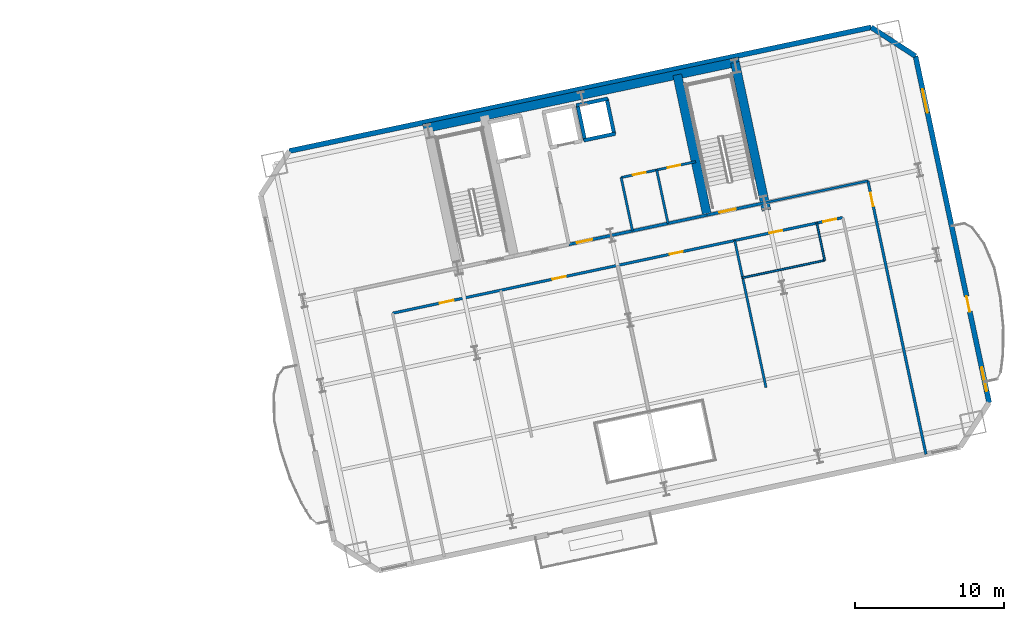
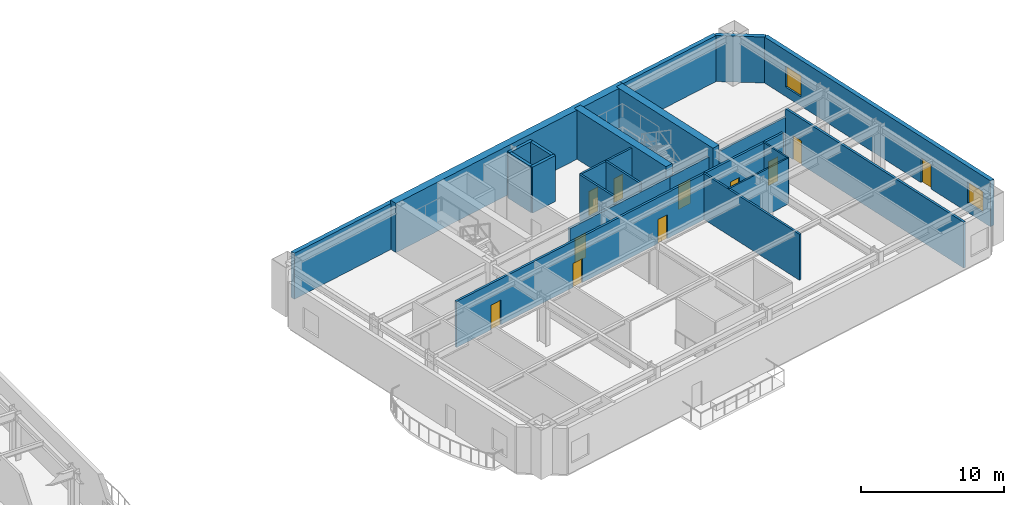
# One storey, part 9 of 15: 21 walls, 11 doors, 2 windows, 13 openings.
"""IFC4 building model written with IfcOpenShell, lengths in metres."""

from ifc_helpers import new_model, si_unit, direction, frame, frame_2d, origin, place, context, subcontext, project, spatial, rectangle, extrude, material, layer, layer_set, type_object, element, fill, save


model = new_model("IFC4")

# Units and contexts
model_context = context("Model", 3, precision=1e-05, world=origin(), true_north=direction((0.0, 1.0)))
body_context = subcontext(model_context, "Body", "Model", "MODEL_VIEW")
ifc_project = project(units=[si_unit("LENGTHUNIT", "METRE"), si_unit("AREAUNIT", "SQUARE_METRE"), si_unit("VOLUMEUNIT", "CUBIC_METRE"), si_unit("PLANEANGLEUNIT", "RADIAN"), si_unit("MASSUNIT", "GRAM", prefix="KILO")], contexts=[model_context])

# Site, building, storey
site_placement = place(None, origin())
site = spatial("IfcSite", under=ifc_project, at=site_placement, CompositionType="ELEMENT")
building_placement = place(site_placement, origin())
building = spatial("IfcBuilding", under=site, at=building_placement, Name="Haevon Station Towers", CompositionType="ELEMENT")
storey_placement = place(building_placement, frame((0.0, 0.0, 73.5)))
storey = spatial("IfcBuildingStorey", under=building, at=storey_placement, Name="L19", CompositionType="ELEMENT", Elevation=73.5)

# Wall, opening, door
ifc_material_1 = material(Name="Gypsum board on steel stud", Category="steel")
ifc_layer_1 = layer(ifc_material_1, 0.179931640625)
ifc_layer_set_1 = layer_set([ifc_layer_1], Name="Gypsum board on steel stud")
wall_type_1 = type_object("IfcWallType", Name="WL-ACU180", PredefinedType="PARTITIONING", material=ifc_layer_set_1)
wall_1_placement = place(storey_placement, frame((130.077392578125, 24.98291015625, 0.0), z_axis=(0.0, 0.0, 1.0), x_axis=(-0.207909658332, 0.97814803275, 0.0)))
wall_1 = element("IfcWall", 1, at=wall_1_placement, inside=storey, type_object=wall_type_1, Name="WL-T2PT-L19-06", PredefinedType="PARTITIONING", context=body_context, shape_type="SweptSolid", body=[
    extrude(rectangle(XDim=18.7001953125, YDim=0.179931640625, at=frame_2d((9.35009765625, 0.0))), origin(), (0.0, 0.0, 1.0), 3.929931640625),
])
opening_1_placement = place(wall_1_placement, frame((16.969970703125, 0.0, 0.0)))
opening_1 = element("IfcOpeningElement", 2, at=opening_1_placement, cuts=wall_1, Name="Opening DR-WL-T2PT-L19-06-01", PredefinedType="OPENING", context=body_context, shape_type="SweptSolid", body=[
    extrude(rectangle(XDim=0.89990234375, YDim=2.050048828125, at=frame_2d((0.449951171875, 1.02490234375))), frame((0.0, 0.099853515625, 0.0), z_axis=(0.0, -1.0, 0.0), x_axis=(1.0, 0.0, 0.0)), (0.0, 0.0, 1.0), 0.199951171875),
])
ifc_material_2 = material(Name="Engineered oak timber", Category="wood")
door_type_1 = type_object("IfcDoorType", Name="DR-INT-900", OperationType="NOTDEFINED", PredefinedType="DOOR", material=ifc_material_2)
door_1_placement = place(opening_1_placement, origin())
door_1 = element("IfcDoor", 3, at=door_1_placement, inside=storey, type_object=door_type_1, Name="L19 Tower 2 Room Door 6-1", OperationType="SINGLE_SWING_RIGHT", OverallHeight=2.050048828125, OverallWidth=0.89990234375, PredefinedType="DOOR", context=body_context, shape_type="SweptSolid", body=[
    extrude(rectangle(XDim=0.89990234375, YDim=2.050048828125, at=frame_2d((0.449951171875, 1.02490234375))), frame((0.0, 0.02490234375, 0.0), z_axis=(0.0, -1.0, 0.0), x_axis=(1.0, 0.0, 0.0)), (0.0, 0.0, 1.0), 0.050048828125),
])
fill(opening_1, door_1)

# Wall, openings, doors
wall_2_placement = place(storey_placement, frame((94.3857421875, 34.41845703125, 0.0), z_axis=(0.0, 0.0, 1.0), x_axis=(0.978148374034, 0.207908052695, 0.0)))
wall_2 = element("IfcWall", 4, at=wall_2_placement, inside=storey, type_object=wall_type_1, Name="WL-T2PT-L19-18", PredefinedType="PARTITIONING", context=body_context, shape_type="SweptSolid", body=[
    extrude(rectangle(XDim=30.800048828125, YDim=0.179931640625, at=frame_2d((15.39990234375, 0.0))), origin(), (0.0, 0.0, 1.0), 3.929931640625),
])
opening_2_placement = place(wall_2_placement, frame((3.220947265625, 0.0, 0.0)))
opening_2 = element("IfcOpeningElement", 5, at=opening_2_placement, cuts=wall_2, Name="Opening DR-WL-T2PT-L19-18-01", PredefinedType="OPENING", context=body_context, shape_type="SweptSolid", body=[
    extrude(rectangle(XDim=0.949951171875, YDim=2.10009765625, at=frame_2d((0.47509765625, 1.050048828125))), frame((0.0, 0.099853515625, 0.0), z_axis=(0.0, -1.0, 0.0), x_axis=(1.0, 0.0, 0.0)), (0.0, 0.0, 1.0), 0.199951171875),
])
opening_3_placement = place(wall_2_placement, frame((10.946044921875, 0.0, 0.0)))
opening_3 = element("IfcOpeningElement", 6, at=opening_3_placement, cuts=wall_2, Name="Opening DR-WL-T2PT-L19-18-02", PredefinedType="OPENING", context=body_context, shape_type="SweptSolid", body=[
    extrude(rectangle(XDim=0.89990234375, YDim=2.050048828125, at=frame_2d((0.449951171875, 1.02490234375))), frame((0.0, 0.099853515625, 0.0), z_axis=(0.0, -1.0, 0.0), x_axis=(1.0, 0.0, 0.0)), (0.0, 0.0, 1.0), 0.199951171875),
])
opening_4_placement = place(wall_2_placement, frame((18.9541015625, 0.0, 0.0)))
opening_4 = element("IfcOpeningElement", 7, at=opening_4_placement, cuts=wall_2, Name="Opening DR-WL-T2PT-L19-18-03", PredefinedType="OPENING", context=body_context, shape_type="SweptSolid", body=[
    extrude(rectangle(XDim=0.89990234375, YDim=2.050048828125, at=frame_2d((0.449951171875, 1.02490234375))), frame((0.0, 0.099853515625, 0.0), z_axis=(0.0, -1.0, 0.0), x_axis=(1.0, 0.0, 0.0)), (0.0, 0.0, 1.0), 0.199951171875),
])
opening_5_placement = place(wall_2_placement, frame((25.7890625, 0.0, 0.0)))
opening_5 = element("IfcOpeningElement", 8, at=opening_5_placement, cuts=wall_2, Name="Opening DR-WL-T2PT-L19-18-04", PredefinedType="OPENING", context=body_context, shape_type="SweptSolid", body=[
    extrude(rectangle(XDim=0.85009765625, YDim=2.050048828125, at=frame_2d((0.425048828125, 1.02490234375))), frame((0.0, 0.099853515625, 0.0), z_axis=(0.0, -1.0, 0.0), x_axis=(1.0, 0.0, 0.0)), (0.0, 0.0, 1.0), 0.199951171875),
])
opening_6_placement = place(wall_2_placement, frame((29.4599609375, 0.0, 0.0)))
opening_6 = element("IfcOpeningElement", 9, at=opening_6_placement, cuts=wall_2, Name="Opening DR-WL-T2PT-L19-18-05", PredefinedType="OPENING", context=body_context, shape_type="SweptSolid", body=[
    extrude(rectangle(XDim=0.89990234375, YDim=2.050048828125, at=frame_2d((0.449951171875, 1.02490234375))), frame((0.0, 0.099853515625, 0.0), z_axis=(0.0, -1.0, 0.0), x_axis=(1.0, 0.0, 0.0)), (0.0, 0.0, 1.0), 0.199951171875),
])
door_type_2 = type_object("IfcDoorType", Name="DR-FD30-850", OperationType="NOTDEFINED", PredefinedType="DOOR", material=ifc_material_2)
door_2_placement = place(opening_5_placement, origin())
door_2 = element("IfcDoor", 10, at=door_2_placement, inside=storey, type_object=door_type_2, Name="L19 Tower 2 Room Door 18-4", OperationType="SINGLE_SWING_RIGHT", OverallHeight=2.050048828125, OverallWidth=0.85009765625, PredefinedType="DOOR", context=body_context, shape_type="SweptSolid", body=[
    extrude(rectangle(XDim=0.85009765625, YDim=2.050048828125, at=frame_2d((0.425048828125, 1.02490234375))), frame((0.0, 0.02490234375, 0.0), z_axis=(0.0, -1.0, 0.0), x_axis=(1.0, 0.0, 0.0)), (0.0, 0.0, 1.0), 0.050048828125),
])
fill(opening_5, door_2)
door_type_3 = type_object("IfcDoorType", Name="DR-FD30-950", OperationType="NOTDEFINED", PredefinedType="DOOR", material=ifc_material_2)
door_3_placement = place(opening_2_placement, origin())
door_3 = element("IfcDoor", 11, at=door_3_placement, inside=storey, type_object=door_type_3, Name="L19 Tower 2 Room Door 18-1", OperationType="SINGLE_SWING_LEFT", OverallHeight=2.10009765625, OverallWidth=0.949951171875, PredefinedType="DOOR", context=body_context, shape_type="SweptSolid", body=[
    extrude(rectangle(XDim=0.949951171875, YDim=2.10009765625, at=frame_2d((0.47509765625, 1.050048828125))), frame((0.0, 0.02490234375, 0.0), z_axis=(0.0, -1.0, 0.0), x_axis=(1.0, 0.0, 0.0)), (0.0, 0.0, 1.0), 0.050048828125),
])
fill(opening_2, door_3)
door_4_placement = place(opening_3_placement, origin())
door_4 = element("IfcDoor", 12, at=door_4_placement, inside=storey, type_object=door_type_1, Name="L19 Tower 2 Room Door 18-2", OperationType="SINGLE_SWING_RIGHT", OverallHeight=2.050048828125, OverallWidth=0.89990234375, PredefinedType="DOOR", context=body_context, shape_type="SweptSolid", body=[
    extrude(rectangle(XDim=0.89990234375, YDim=2.050048828125, at=frame_2d((0.449951171875, 1.02490234375))), frame((0.0, 0.02490234375, 0.0), z_axis=(0.0, -1.0, 0.0), x_axis=(1.0, 0.0, 0.0)), (0.0, 0.0, 1.0), 0.050048828125),
])
fill(opening_3, door_4)
door_5_placement = place(opening_4_placement, origin())
door_5 = element("IfcDoor", 13, at=door_5_placement, inside=storey, type_object=door_type_1, Name="L19 Tower 2 Room Door 18-3", OperationType="SINGLE_SWING_LEFT", OverallHeight=2.050048828125, OverallWidth=0.89990234375, PredefinedType="DOOR", context=body_context, shape_type="SweptSolid", body=[
    extrude(rectangle(XDim=0.89990234375, YDim=2.050048828125, at=frame_2d((0.449951171875, 1.02490234375))), frame((0.0, 0.02490234375, 0.0), z_axis=(0.0, -1.0, 0.0), x_axis=(1.0, 0.0, 0.0)), (0.0, 0.0, 1.0), 0.050048828125),
])
fill(opening_4, door_5)
door_6_placement = place(opening_6_placement, origin())
door_6 = element("IfcDoor", 14, at=door_6_placement, inside=storey, type_object=door_type_1, Name="L19 Tower 2 Room Door 18-5", OperationType="SINGLE_SWING_LEFT", OverallHeight=2.050048828125, OverallWidth=0.89990234375, PredefinedType="DOOR", context=body_context, shape_type="SweptSolid", body=[
    extrude(rectangle(XDim=0.89990234375, YDim=2.050048828125, at=frame_2d((0.449951171875, 1.02490234375))), frame((0.0, 0.02490234375, 0.0), z_axis=(0.0, -1.0, 0.0), x_axis=(1.0, 0.0, 0.0)), (0.0, 0.0, 1.0), 0.050048828125),
])
fill(opening_6, door_6)

# Wall, opening, door
ifc_layer_2 = layer(ifc_material_1, 0.199951171875)
ifc_layer_set_2 = layer_set([ifc_layer_2], Name="Gypsum board on steel stud")
wall_type_2 = type_object("IfcWallType", Name="WL-COR200", PredefinedType="PARTITIONING", material=ifc_layer_set_2)
wall_3_placement = place(storey_placement, frame((115.4296875, 40.9873046875, 0.0), z_axis=(0.0, 0.0, 1.0), x_axis=(0.978146596989, 0.207916413008, 0.0)))
wall_3 = element("IfcWall", 15, at=wall_3_placement, inside=storey, type_object=wall_type_2, Name="WL-ST-ST4-L19", PredefinedType="PARTITIONING", context=body_context, shape_type="SweptSolid", body=[
    extrude(rectangle(XDim=3.9501953125, YDim=0.199951171875, at=frame_2d((1.97509765625, 0.0))), origin(), (0.0, 0.0, 1.0), 3.22998046875),
])
opening_7_placement = place(wall_3_placement, frame((0.85009765625, 0.0, 0.0)))
opening_7 = element("IfcOpeningElement", 16, at=opening_7_placement, cuts=wall_3, Name="Opening DR-ST-ST4-L19", PredefinedType="OPENING", context=body_context, shape_type="SweptSolid", body=[
    extrude(rectangle(XDim=1.1201171875, YDim=2.10009765625, at=frame_2d((0.56005859375, 1.050048828125))), frame((0.0, 0.10986328125, 0.0), z_axis=(0.0, -1.0, 0.0), x_axis=(1.0, 0.0, 0.0)), (0.0, 0.0, 1.0), 0.219970703125),
])
door_type_4 = type_object("IfcDoorType", Name="DR-ST-1120", OperationType="NOTDEFINED", PredefinedType="DOOR", material=ifc_material_2)
door_7_placement = place(opening_7_placement, origin())
door_7 = element("IfcDoor", 17, at=door_7_placement, inside=storey, type_object=door_type_4, Name="L19 Escape Stair ST4 Fire Door", OperationType="SINGLE_SWING_RIGHT", OverallHeight=2.10009765625, OverallWidth=1.1201171875, PredefinedType="DOOR", context=body_context, shape_type="SweptSolid", body=[
    extrude(rectangle(XDim=1.1201171875, YDim=2.10009765625, at=frame_2d((0.56005859375, 1.050048828125))), frame((0.0, 0.02490234375, 0.0), z_axis=(0.0, -1.0, 0.0), x_axis=(1.0, 0.0, 0.0)), (0.0, 0.0, 1.0), 0.050048828125),
])
fill(opening_7, door_7)

wall_4_placement = place(storey_placement, frame((106.186279296875, 39.0224609375, 0.0), z_axis=(0.0, 0.0, 1.0), x_axis=(0.978145519981, 0.20792147975, 0.0)))
wall_4 = element("IfcWall", 18, at=wall_4_placement, inside=storey, type_object=wall_type_2, Name="WL-T2CLB-L19", PredefinedType="PARTITIONING", context=body_context, shape_type="SweptSolid", body=[
    extrude(rectangle(XDim=9.449951171875, YDim=0.199951171875, at=frame_2d((4.72509765625, 0.0))), origin(), (0.0, 0.0, 1.0), 3.22998046875),
])
opening_8_placement = place(wall_4_placement, frame((0.550048828125, 0.0, 0.0)))
opening_8 = element("IfcOpeningElement", 19, at=opening_8_placement, cuts=wall_4, Name="Opening DR-T2CLB-L19-1", PredefinedType="OPENING", context=body_context, shape_type="SweptSolid", body=[
    extrude(rectangle(XDim=1.050048828125, YDim=2.10009765625, at=frame_2d((0.52490234375, 1.050048828125))), frame((0.0, 0.10986328125, 0.0), z_axis=(0.0, -1.0, 0.0), x_axis=(1.0, 0.0, 0.0)), (0.0, 0.0, 1.0), 0.219970703125),
])
door_type_5 = type_object("IfcDoorType", Name="DR-FD60-1050", OperationType="NOTDEFINED", PredefinedType="DOOR", material=ifc_material_2)
door_8_placement = place(opening_8_placement, origin())
door_8 = element("IfcDoor", 20, at=door_8_placement, inside=storey, type_object=door_type_5, Name="L19 Tower 2 Core Lift Lobby Door 1", OperationType="SINGLE_SWING_LEFT", OverallHeight=2.10009765625, OverallWidth=1.050048828125, PredefinedType="DOOR", context=body_context, shape_type="SweptSolid", body=[
    extrude(rectangle(XDim=1.050048828125, YDim=2.10009765625, at=frame_2d((0.52490234375, 1.050048828125))), frame((0.0, 0.02490234375, 0.0), z_axis=(0.0, -1.0, 0.0), x_axis=(1.0, 0.0, 0.0)), (0.0, 0.0, 1.0), 0.050048828125),
])
fill(opening_8, door_8)

# Walls
ifc_material_3 = material(Name="Concrete C60/75", Category="concrete")
ifc_layer_3 = layer(ifc_material_3, 0.60009765625)
ifc_layer_set_3 = layer_set([ifc_layer_3], Name="Concrete C60/75")
wall_type_3 = type_object("IfcWallType", Name="WL-CR600", PredefinedType="SHEAR", material=ifc_layer_set_3)
wall_5_placement = place(storey_placement, frame((96.462890625, 46.770263671875, 0.0), z_axis=(0.0, 0.0, 1.0), x_axis=(0.978147272959, 0.207913232873, 0.0)))
element("IfcWall", 21, at=wall_5_placement, inside=storey, type_object=wall_type_3, Name="WL-T2CR-L19-N", PredefinedType="SHEAR", context=body_context, shape_type="SweptSolid", body=[
    extrude(rectangle(XDim=21.60009765625, YDim=0.60009765625, at=frame_2d((10.800048828125, 0.0))), origin(), (0.0, 0.0, 1.0), 4.199951171875),
])
wall_6_placement = place(storey_placement, frame((119.401611328125, 41.2998046875, 0.0), z_axis=(0.0, 0.0, 1.0), x_axis=(-0.207904342798, 0.978149162575, 0.0)))
element("IfcWall", 22, at=wall_6_placement, inside=storey, type_object=wall_type_3, Name="WL-T2CR-L19-E", PredefinedType="SHEAR", context=body_context, shape_type="SweptSolid", body=[
    extrude(rectangle(XDim=10.1201171875, YDim=0.60009765625, at=frame_2d((5.06005859375, 0.0))), origin(), (0.0, 0.0, 1.0), 4.199951171875),
])
wall_7_placement = place(storey_placement, frame((115.4296875, 40.9873046875, 0.0), z_axis=(0.0, 0.0, 1.0), x_axis=(-0.207903162969, 0.978149413345, 0.0)))
element("IfcWall", 23, at=wall_7_placement, inside=storey, type_object=wall_type_3, Name="WL-T2CR-L19-M2", PredefinedType="SHEAR", context=body_context, shape_type="SweptSolid", body=[
    extrude(rectangle(XDim=9.599853515625, YDim=0.60009765625, at=frame_2d((4.7998046875, 0.0))), origin(), (0.0, 0.0, 1.0), 4.199951171875),
])
ifc_material_4 = material(Name="Precast concrete C45/55", Category="concrete")
ifc_layer_4 = layer(ifc_material_4, 0.340087890625)
ifc_layer_set_4 = layer_set([ifc_layer_4], Name="Precast concrete C45/55")
wall_type_4 = type_object("IfcWallType", Name="WL-EXT-PIER340", PredefinedType="SOLIDWALL", material=ifc_layer_set_4)
wall_8_placement = place(storey_placement, frame((87.478759765625, 45.26953125, 0.0), z_axis=(0.0, 0.0, 1.0), x_axis=(0.978147406386, 0.20791260515, 0.0)))
element("IfcWall", 24, at=wall_8_placement, inside=storey, type_object=wall_type_4, Name="WL-T2-L19-N", PredefinedType="SOLIDWALL", context=body_context, shape_type="SweptSolid", body=[
    extrude(rectangle(XDim=39.7998046875, YDim=0.340087890625, at=frame_2d((19.89990234375, 0.0))), origin(), (0.0, 0.0, 1.0), 3.929931640625),
])
wall_9_placement = place(storey_placement, frame((126.408935546875, 53.54443359375, 0.0), z_axis=(0.0, 0.0, 1.0), x_axis=(0.838672309694, -0.544636352948, 0.0)))
element("IfcWall", 25, at=wall_9_placement, inside=storey, type_object=wall_type_4, Name="WL-T2-L19-NEC", PredefinedType="SOLIDWALL", context=body_context, shape_type="SweptSolid", body=[
    extrude(rectangle(XDim=3.535400390625, YDim=0.340087890625, at=frame_2d((1.767578125, 0.0))), origin(), (0.0, 0.0, 1.0), 3.929931640625),
])

# Wall, openings, door, windows
wall_10_placement = place(storey_placement, frame((129.3740234375, 51.618896484375, 0.0), z_axis=(0.0, 0.0, 1.0), x_axis=(0.20791074704, -0.978147801339, 0.0)))
wall_10 = element("IfcWall", 26, at=wall_10_placement, inside=storey, type_object=wall_type_4, Name="WL-T2-L19-E", PredefinedType="SOLIDWALL", context=body_context, shape_type="SweptSolid", body=[
    extrude(rectangle(XDim=23.699951171875, YDim=0.340087890625, at=frame_2d((11.85009765625, 0.0))), origin(), (0.0, 0.0, 1.0), 3.929931640625),
])
opening_9_placement = place(wall_10_placement, frame((16.425048828125, 0.0, 0.0)))
opening_9 = element("IfcOpeningElement", 27, at=opening_9_placement, cuts=wall_10, Name="Opening DR-T2-SCAL-L19-E", PredefinedType="OPENING", context=body_context, shape_type="SweptSolid", body=[
    extrude(rectangle(XDim=1.050048828125, YDim=2.10009765625, at=frame_2d((0.52490234375, 1.050048828125))), frame((0.0, 0.179931640625, 0.0), z_axis=(0.0, -1.0, 0.0), x_axis=(1.0, 0.0, 0.0)), (0.0, 0.0, 1.0), 0.360107421875),
])
opening_10_placement = place(wall_10_placement, frame((2.264404296875, 0.0, 0.800048828125)))
opening_10 = element("IfcOpeningElement", 28, at=opening_10_placement, cuts=wall_10, Name="Opening WN-END160", PredefinedType="OPENING", context=body_context, shape_type="SweptSolid", body=[
    extrude(rectangle(XDim=1.60009765625, YDim=1.800048828125, at=frame_2d((0.800048828125, 0.89990234375))), frame((0.0, 0.179931640625, 0.0), z_axis=(0.0, -1.0, 0.0), x_axis=(1.0, 0.0, 0.0)), (0.0, 0.0, 1.0), 0.360107421875),
])
opening_11_placement = place(wall_10_placement, frame((21.300048828125, 0.0, 0.800048828125)))
opening_11 = element("IfcOpeningElement", 29, at=opening_11_placement, cuts=wall_10, Name="Opening WN-END160", PredefinedType="OPENING", context=body_context, shape_type="SweptSolid", body=[
    extrude(rectangle(XDim=1.60009765625, YDim=1.800048828125, at=frame_2d((0.800048828125, 0.89990234375))), frame((0.0, 0.179931640625, 0.0), z_axis=(0.0, -1.0, 0.0), x_axis=(1.0, 0.0, 0.0)), (0.0, 0.0, 1.0), 0.360107421875),
])
ifc_material_5 = material(Name="Thermally broken anodised aluminium and laminated safety glass", Category="aluminium")
door_type_6 = type_object("IfcDoorType", Name="DR-BALC-1050", OperationType="NOTDEFINED", PredefinedType="DOOR", material=ifc_material_5)
door_9_placement = place(opening_9_placement, origin())
door_9 = element("IfcDoor", 30, at=door_9_placement, inside=storey, type_object=door_type_6, Name="Tower 2 L19 East Scalloped Balcony Door", OperationType="SINGLE_SWING_RIGHT", OverallHeight=2.10009765625, OverallWidth=1.050048828125, PredefinedType="DOOR", context=body_context, shape_type="SweptSolid", body=[
    extrude(rectangle(XDim=1.050048828125, YDim=2.10009765625, at=frame_2d((0.52490234375, 1.050048828125))), frame((0.0, 0.02490234375, 0.0), z_axis=(0.0, -1.0, 0.0), x_axis=(1.0, 0.0, 0.0)), (0.0, 0.0, 1.0), 0.050048828125),
])
fill(opening_9, door_9)
ifc_material_6 = material(Name="Low-E triple glazing in thermally broken aluminium", Category="aluminium")
window_type = type_object("IfcWindowType", Name="WN-END160", PartitioningType="SINGLE_PANEL", PredefinedType="WINDOW", material=ifc_material_6)
window_1_placement = place(opening_10_placement, origin())
window_1 = element("IfcWindow", 31, at=window_1_placement, inside=storey, type_object=window_type, Name="WN-T2-L19-E01", OverallHeight=1.800048828125, OverallWidth=1.60009765625, PartitioningType="SINGLE_PANEL", PredefinedType="WINDOW", context=body_context, shape_type="SweptSolid", body=[
    extrude(rectangle(XDim=1.60009765625, YDim=1.800048828125, at=frame_2d((0.800048828125, 0.89990234375))), frame((0.0, 0.030029296875, 0.0), z_axis=(0.0, -1.0, 0.0), x_axis=(1.0, 0.0, 0.0)), (0.0, 0.0, 1.0), 0.06005859375),
])
fill(opening_10, window_1)
window_2_placement = place(opening_11_placement, origin())
window_2 = element("IfcWindow", 32, at=window_2_placement, inside=storey, type_object=window_type, Name="WN-T2-L19-E02", OverallHeight=1.800048828125, OverallWidth=1.60009765625, PartitioningType="SINGLE_PANEL", PredefinedType="WINDOW", context=body_context, shape_type="SweptSolid", body=[
    extrude(rectangle(XDim=1.60009765625, YDim=1.800048828125, at=frame_2d((0.800048828125, 0.89990234375))), frame((0.0, 0.030029296875, 0.0), z_axis=(0.0, -1.0, 0.0), x_axis=(1.0, 0.0, 0.0)), (0.0, 0.0, 1.0), 0.06005859375),
])
fill(opening_11, window_2)

# Walls
ifc_layer_5 = layer(ifc_material_1, 0.125)
ifc_layer_set_5 = layer_set([ifc_layer_5], Name="Gypsum board on steel stud")
wall_type_5 = type_object("IfcWallType", Name="WL-PRT125", PredefinedType="PARTITIONING", material=ifc_layer_set_5)
wall_11_placement = place(storey_placement, frame((117.812255859375, 36.791015625, 0.0), z_axis=(0.0, 0.0, 1.0), x_axis=(0.978150558092, 0.207897777057, 0.0)))
element("IfcWall", 33, at=wall_11_placement, inside=storey, type_object=wall_type_5, Name="WL-T2PT-L19-16", PredefinedType="PARTITIONING", context=body_context, shape_type="SweptSolid", body=[
    extrude(rectangle(XDim=5.612060546875, YDim=0.125, at=frame_2d((2.80615234375, 0.0))), origin(), (0.0, 0.0, 1.0), 3.929931640625),
])
wall_12_placement = place(storey_placement, frame((123.3017578125, 37.957763671875, 0.0), z_axis=(0.0, 0.0, 1.0), x_axis=(-0.207940050407, 0.978141572287, 0.0)))
element("IfcWall", 34, at=wall_12_placement, inside=storey, type_object=wall_type_5, Name="WL-T2PT-L19-17", PredefinedType="PARTITIONING", context=body_context, shape_type="SweptSolid", body=[
    extrude(rectangle(XDim=2.550048828125, YDim=0.125, at=frame_2d((1.27490234375, 0.0))), origin(), (0.0, 0.0, 1.0), 3.929931640625),
])
ifc_layer_6 = layer(ifc_material_1, 0.159912109375)
ifc_layer_set_6 = layer_set([ifc_layer_6], Name="Gypsum board on steel stud")
wall_type_6 = type_object("IfcWallType", Name="WL-PRT160", PredefinedType="PARTITIONING", material=ifc_layer_set_6)
for number, where, z_axis, x_axis, name in (
    (35, (110.441162109375, 39.927001953125, 0.0), (0.0, 0.0, 1.0), (-0.207884354546, 0.978153410838, 0.0), "WL-T2CW-L19-01"),
    (36, (112.818115234375, 40.43212890625, 0.0), (0.0, 0.0, 1.0), (-0.207884354546, 0.978153410838, 0.0), "WL-T2CW-L19-02"),
):
    element("IfcWall", number, at=place(storey_placement, frame(where, z_axis=z_axis, x_axis=x_axis)), inside=storey, type_object=wall_type_6, Name=name, PredefinedType="PARTITIONING", context=body_context, shape_type="SweptSolid", body=[
        extrude(rectangle(XDim=3.650146484375, YDim=0.159912109375, at=frame_2d((1.8251953125, 0.0))), origin(), (0.0, 0.0, 1.0), 3.929931640625),
    ])

# Wall, openings, doors
wall_13_placement = place(storey_placement, frame((109.682373046875, 43.497314453125, 0.0), z_axis=(0.0, 0.0, 1.0), x_axis=(0.978149238447, 0.207903985835, 0.0)))
wall_13 = element("IfcWall", 37, at=wall_13_placement, inside=storey, type_object=wall_type_6, Name="WL-T2CW-L19-03", PredefinedType="PARTITIONING", context=body_context, shape_type="SweptSolid", body=[
    extrude(rectangle(XDim=5.099853515625, YDim=0.159912109375, at=frame_2d((2.5498046875, 0.0))), origin(), (0.0, 0.0, 1.0), 3.929931640625),
])
opening_12_placement = place(wall_13_placement, frame((0.81005859375, 0.0, 0.0)))
opening_12 = element("IfcOpeningElement", 38, at=opening_12_placement, cuts=wall_13, Name="Opening DR-WL-T2CW-L19-03-1", PredefinedType="OPENING", context=body_context, shape_type="SweptSolid", body=[
    extrude(rectangle(XDim=0.85009765625, YDim=2.050048828125, at=frame_2d((0.425048828125, 1.02490234375))), frame((0.0, 0.08984375, 0.0), z_axis=(0.0, -1.0, 0.0), x_axis=(1.0, 0.0, 0.0)), (0.0, 0.0, 1.0), 0.179931640625),
])
opening_13_placement = place(wall_13_placement, frame((3.179931640625, 0.0, 0.0)))
opening_13 = element("IfcOpeningElement", 39, at=opening_13_placement, cuts=wall_13, Name="Opening DR-WL-T2CW-L19-03-2", PredefinedType="OPENING", context=body_context, shape_type="SweptSolid", body=[
    extrude(rectangle(XDim=0.85009765625, YDim=2.050048828125, at=frame_2d((0.425048828125, 1.02490234375))), frame((0.0, 0.08984375, 0.0), z_axis=(0.0, -1.0, 0.0), x_axis=(1.0, 0.0, 0.0)), (0.0, 0.0, 1.0), 0.179931640625),
])
door_10_placement = place(opening_12_placement, origin())
door_10 = element("IfcDoor", 40, at=door_10_placement, inside=storey, type_object=door_type_2, Name="L19 Tower 2 Core Room Door 3-1", OperationType="SINGLE_SWING_LEFT", OverallHeight=2.050048828125, OverallWidth=0.85009765625, PredefinedType="DOOR", context=body_context, shape_type="SweptSolid", body=[
    extrude(rectangle(XDim=0.85009765625, YDim=2.050048828125, at=frame_2d((0.425048828125, 1.02490234375))), frame((0.0, 0.02490234375, 0.0), z_axis=(0.0, -1.0, 0.0), x_axis=(1.0, 0.0, 0.0)), (0.0, 0.0, 1.0), 0.050048828125),
])
fill(opening_12, door_10)
door_11_placement = place(opening_13_placement, origin())
door_11 = element("IfcDoor", 41, at=door_11_placement, inside=storey, type_object=door_type_2, Name="L19 Tower 2 Core Room Door 3-2", OperationType="SINGLE_SWING_RIGHT", OverallHeight=2.050048828125, OverallWidth=0.85009765625, PredefinedType="DOOR", context=body_context, shape_type="SweptSolid", body=[
    extrude(rectangle(XDim=0.85009765625, YDim=2.050048828125, at=frame_2d((0.425048828125, 1.02490234375))), frame((0.0, 0.02490234375, 0.0), z_axis=(0.0, -1.0, 0.0), x_axis=(1.0, 0.0, 0.0)), (0.0, 0.0, 1.0), 0.050048828125),
])
fill(opening_13, door_11)

# Walls
wall_14_placement = place(storey_placement, frame((119.29345703125, 41.80859375, 0.0), z_axis=(0.0, 0.0, 1.0), x_axis=(0.978146703791, 0.207915910556, 0.0)))
element("IfcWall", 42, at=wall_14_placement, inside=storey, type_object=wall_type_6, Name="WL-T2PT-L19-04", PredefinedType="PARTITIONING", context=body_context, shape_type="SweptSolid", body=[
    extrude(rectangle(XDim=7.050048828125, YDim=0.159912109375, at=frame_2d((3.52490234375, 0.0))), origin(), (0.0, 0.0, 1.0), 3.22998046875),
])
wall_15_placement = place(storey_placement, frame((119.37158203125, 29.454833984375, 0.0), z_axis=(0.0, 0.0, 1.0), x_axis=(-0.207897978629, 0.978150515249, 0.0)))
element("IfcWall", 43, at=wall_15_placement, inside=storey, type_object=wall_type_6, Name="WL-T2PT-L19-14", PredefinedType="PARTITIONING", context=body_context, shape_type="SweptSolid", body=[
    extrude(rectangle(XDim=10.0498046875, YDim=0.159912109375, at=frame_2d((5.02490234375, 0.0))), origin(), (0.0, 0.0, 1.0), 3.929931640625),
])
ifc_material_7 = material(Name="Concrete C40/50", Category="concrete")
ifc_layer_7 = layer(ifc_material_7, 0.239990234375)
ifc_layer_set_7 = layer_set([ifc_layer_7], Name="Concrete C40/50")
wall_type_7 = type_object("IfcWallType", Name="WL-SHF240", PredefinedType="PARTITIONING", material=ifc_layer_set_7)
for number, where, z_axis, x_axis, name in (
    (44, (107.18115234375, 45.9814453125, 0.0), (0.0, 0.0, 1.0), (0.97813528961, 0.207969601673, 0.0), "WL-SHF-PL8-L19"),
    (45, (106.68212890625, 48.3291015625, 0.0), (0.0, 0.0, 1.0), (0.978158276388, 0.207861459473, 0.0), "WL-SHF-PL8-L19-N"),
):
    element("IfcWall", number, at=place(storey_placement, frame(where, z_axis=z_axis, x_axis=x_axis)), inside=storey, type_object=wall_type_7, Name=name, PredefinedType="PARTITIONING", context=body_context, shape_type="SweptSolid", body=[
        extrude(rectangle(XDim=2.159912109375, YDim=0.239990234375, at=frame_2d((1.080078125, 0.0))), origin(), (0.0, 0.0, 1.0), 3.929931640625),
    ])
for number, where, z_axis, x_axis, name in (
    (46, (107.259521484375, 45.998046875, 0.0), (0.0, 0.0, 1.0), (-0.207917150959, 0.978146440129, 0.0), "WL-SHF-PL8-L19-W"),
    (47, (109.2158203125, 46.413818359375, 0.0), (0.0, 0.0, 1.0), (-0.207917150959, 0.978146440129, 0.0), "WL-SHF-PL8-L19-E"),
):
    element("IfcWall", number, at=place(storey_placement, frame(where, z_axis=z_axis, x_axis=x_axis)), inside=storey, type_object=wall_type_7, Name=name, PredefinedType="PARTITIONING", context=body_context, shape_type="SweptSolid", body=[
        extrude(rectangle(XDim=2.400146484375, YDim=0.239990234375, at=frame_2d((1.2001953125, 0.0))), origin(), (0.0, 0.0, 1.0), 3.929931640625),
    ])

save(model, "model.ifc")
